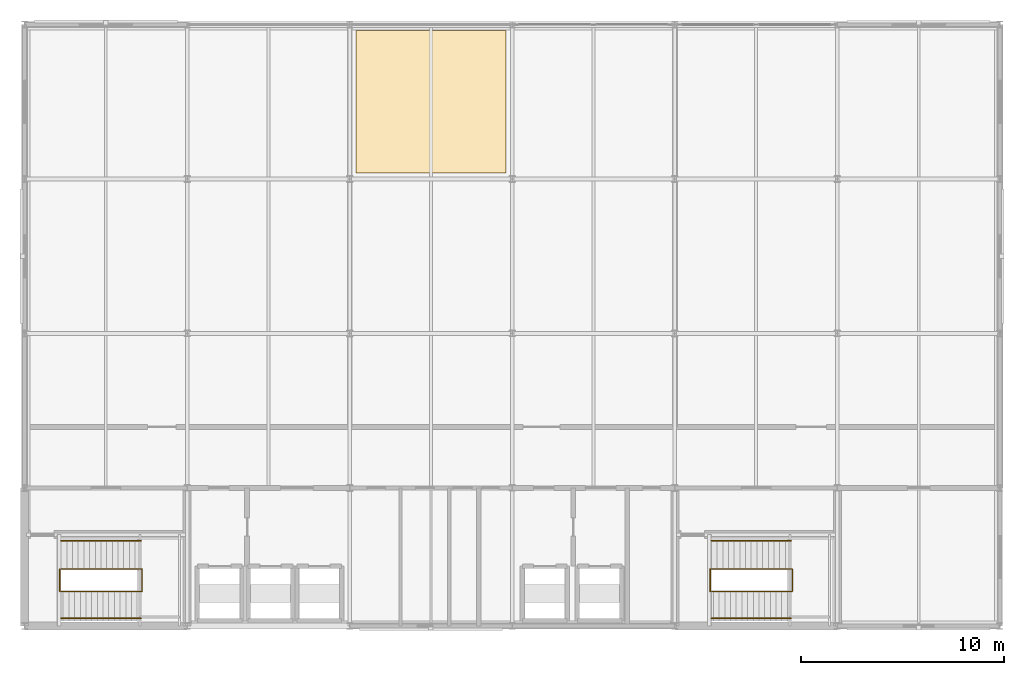
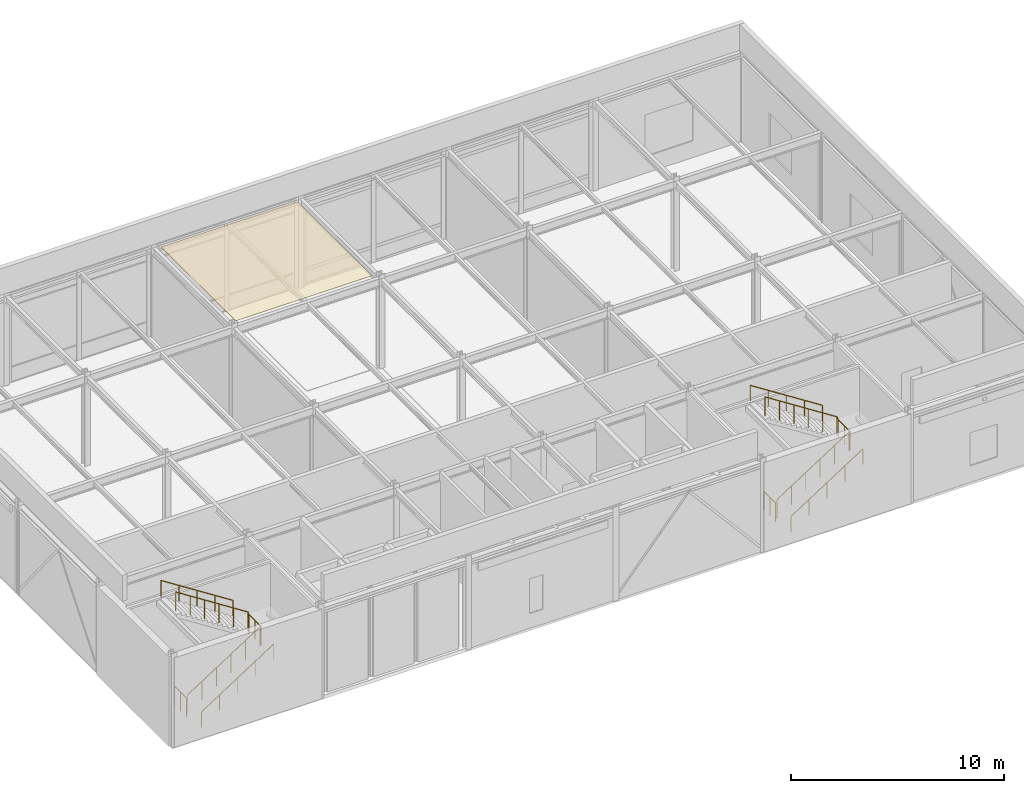
# One storey, part 12 of 12: 8 railings, 1 covering.
"""IFC4 building model written with IfcOpenShell, lengths in metres."""

from ifc_helpers import new_model, si_unit, direction, frame, origin, origin_2d, place, context, subcontext, project, spatial, polyline, circle, outline, extrude, material, layer, layer_set, type_object, element, save


model = new_model("IFC4")

# Units and contexts
model_context = context("Model", 3, precision=1e-05, world=origin(), true_north=direction((0.0, 1.0)))
body_context = subcontext(model_context, "Body", "Model", "MODEL_VIEW")
ifc_project = project(units=[si_unit("LENGTHUNIT", "METRE"), si_unit("AREAUNIT", "SQUARE_METRE"), si_unit("VOLUMEUNIT", "CUBIC_METRE"), si_unit("PLANEANGLEUNIT", "RADIAN"), si_unit("MASSUNIT", "GRAM", prefix="KILO")], contexts=[model_context])

# Site, building, storey
site_placement = place(None, origin())
site = spatial("IfcSite", under=ifc_project, at=site_placement, CompositionType="ELEMENT")
building_placement = place(site_placement, origin())
building = spatial("IfcBuilding", under=site, at=building_placement, Name="Shalkamar Park Central Library", CompositionType="ELEMENT")
storey_placement = place(building_placement, frame((0.0, 0.0, 72.300048828125)))
storey = spatial("IfcBuildingStorey", under=building, at=storey_placement, Name="L18", CompositionType="ELEMENT", Elevation=72.300048828125)

# Covering
ifc_material_1 = material(Name="Acoustic mineral fibre ceiling panel", Category="other")
ifc_layer = layer(ifc_material_1, 0.02490234375)
ifc_layer_set = layer_set([ifc_layer], Name="AcousticMineralCeilingTile")
covering_type = type_object("IfcCoveringType", Name="Acoustic Mineral Ceiling Tile", PredefinedType="CEILING", material=ifc_layer_set)
covering_placement = place(storey_placement, frame((0.0, 0.0, 5.125)))
element("IfcCovering", 1, at=covering_placement, inside=storey, type_object=covering_type, Name="Acoustic Reading Ceiling Panel L18", PredefinedType="CEILING", context=body_context, shape_type="SweptSolid", body=[
    extrude(outline(polyline([(181.300048828125, 270.699951171875), (188.699951171875, 270.699951171875), (188.699951171875, 277.699951171875), (181.300048828125, 277.699951171875), (181.300048828125, 270.699951171875)])), origin(), (0.0, 0.0, 1.0), 0.02490234375),
])

# Railings
ifc_material_2 = material(Name="Steel S355", Category="steel")
railing_type_1 = type_object("IfcRailingType", Name="Stair Guardrail 1100", PredefinedType="GUARDRAIL", material=ifc_material_2)
railing_1_placement = place(storey_placement, frame((166.800048828125, 250.090087890625, 0.179931640625)))
element("IfcRailing", 2, at=railing_1_placement, inside=storey, type_object=railing_type_1, Name="Stair Inner Well Guardrail ST-T1-L18", PredefinedType="GUARDRAIL", context=body_context, shape_type="SweptSolid", body=[
    extrude(circle(Radius=0.02392578125, at=origin_2d()), frame((0.0, 0.0, 1.076171875), z_axis=(0.841171666519, 0.0, 0.540768182723), x_axis=(0.0, 1.0, 0.0)), (0.0, 0.0, 1.0), 4.66015625),
    extrude(circle(Radius=0.02392578125, at=origin_2d()), frame((3.919921875, 0.0, 3.59619140625), z_axis=(1.0, 0.0, 0.0), x_axis=(0.0, 1.0, 0.0)), (0.0, 0.0, 1.0), 0.06005859375),
    extrude(circle(Radius=0.02392578125, at=origin_2d()), frame((3.97998046875, 0.0, 3.59619140625), z_axis=(0.0, 1.0, 0.0), x_axis=(-1.0, 0.0, 0.0)), (0.0, 0.0, 1.0), 1.119873046875),
    extrude(circle(Radius=0.02392578125, at=origin_2d()), frame((3.97998046875, 1.119873046875, 3.59619140625), z_axis=(-0.316613854282, 0.0, 0.948554514657), x_axis=(0.0, -1.0, 0.0)), (0.0, 0.0, 1.0), 0.189697265625),
    extrude(circle(Radius=0.02392578125, at=origin_2d()), frame((3.919921875, 1.119873046875, 3.77587890625), z_axis=(-0.841171666519, 0.0, 0.540768182723), x_axis=(0.0, -1.0, 0.0)), (0.0, 0.0, 1.0), 4.66015625),
    extrude(circle(Radius=0.02099609375, at=origin_2d()), origin(), (0.0, 0.0, 1.0), 1.052001953125),
    extrude(circle(Radius=0.02099609375, at=origin_2d()), frame((0.783935546875, 0.0, 0.50390625)), (0.0, 0.0, 1.0), 1.052001953125),
    extrude(circle(Radius=0.02099609375, at=origin_2d()), frame((1.56787109375, 0.0, 1.008056640625)), (0.0, 0.0, 1.0), 1.052001953125),
    extrude(circle(Radius=0.02099609375, at=origin_2d()), frame((2.35205078125, 0.0, 1.511962890625)), (0.0, 0.0, 1.0), 1.052001953125),
    extrude(circle(Radius=0.02099609375, at=origin_2d()), frame((3.135986328125, 0.0, 2.01611328125)), (0.0, 0.0, 1.0), 1.052001953125),
    extrude(circle(Radius=0.02099609375, at=origin_2d()), frame((3.919921875, 0.0, 2.52001953125)), (0.0, 0.0, 1.0), 1.052001953125),
    extrude(circle(Radius=0.02099609375, at=origin_2d()), frame((3.97998046875, 0.0, 2.52001953125)), (0.0, 0.0, 1.0), 1.052001953125),
    extrude(circle(Radius=0.02099609375, at=origin_2d()), frame((3.97998046875, 0.56005859375, 2.52001953125)), (0.0, 0.0, 1.0), 1.052001953125),
    extrude(circle(Radius=0.02099609375, at=origin_2d()), frame((3.97998046875, 1.119873046875, 2.52001953125)), (0.0, 0.0, 1.0), 1.052001953125),
    extrude(circle(Radius=0.02099609375, at=origin_2d()), frame((3.919921875, 1.119873046875, 2.699951171875)), (0.0, 0.0, 1.0), 1.052001953125),
    extrude(circle(Radius=0.02099609375, at=origin_2d()), frame((3.135986328125, 1.119873046875, 3.203857421875)), (0.0, 0.0, 1.0), 1.052001953125),
    extrude(circle(Radius=0.02099609375, at=origin_2d()), frame((2.35205078125, 1.119873046875, 3.7080078125)), (0.0, 0.0, 1.0), 1.052001953125),
    extrude(circle(Radius=0.02099609375, at=origin_2d()), frame((1.56787109375, 1.119873046875, 4.2119140625)), (0.0, 0.0, 1.0), 1.052001953125),
    extrude(circle(Radius=0.02099609375, at=origin_2d()), frame((0.783935546875, 1.119873046875, 4.716064453125)), (0.0, 0.0, 1.0), 1.052001953125),
    extrude(circle(Radius=0.02099609375, at=origin_2d()), frame((0.0, 1.119873046875, 5.219970703125)), (0.0, 0.0, 1.0), 1.052001953125),
])
railing_2_placement = place(storey_placement, frame((166.739990234375, 250.10009765625, 0.0)))
element("IfcRailing", 3, at=railing_2_placement, inside=storey, type_object=railing_type_1, Name="Stair Arrival Well Guardrail ST-T1 (L18)", PredefinedType="GUARDRAIL", context=body_context, shape_type="SweptSolid", body=[
    extrude(circle(Radius=0.02392578125, at=origin_2d()), frame((0.0, 0.0, 1.076171875), z_axis=(0.0, 1.0, 0.0), x_axis=(-1.0, 0.0, 0.0)), (0.0, 0.0, 1.0), 1.099853515625),
    extrude(circle(Radius=0.02099609375, at=origin_2d()), origin(), (0.0, 0.0, 1.0), 1.052001953125),
    extrude(circle(Radius=0.02099609375, at=origin_2d()), frame((0.0, 0.5498046875, 0.0)), (0.0, 0.0, 1.0), 1.052001953125),
    extrude(circle(Radius=0.02099609375, at=origin_2d()), frame((0.0, 1.099853515625, 0.0)), (0.0, 0.0, 1.0), 1.052001953125),
])
railing_3_placement = place(storey_placement, frame((198.800048828125, 250.090087890625, 0.179931640625)))
element("IfcRailing", 4, at=railing_3_placement, inside=storey, type_object=railing_type_1, Name="Stair Inner Well Guardrail ST-T2-L18", PredefinedType="GUARDRAIL", context=body_context, shape_type="SweptSolid", body=[
    extrude(circle(Radius=0.02392578125, at=origin_2d()), frame((0.0, 0.0, 1.076171875), z_axis=(0.841171666519, 0.0, 0.540768182723), x_axis=(0.0, 1.0, 0.0)), (0.0, 0.0, 1.0), 4.66015625),
    extrude(circle(Radius=0.02392578125, at=origin_2d()), frame((3.919921875, 0.0, 3.59619140625), z_axis=(1.0, 0.0, 0.0), x_axis=(0.0, 1.0, 0.0)), (0.0, 0.0, 1.0), 0.06005859375),
    extrude(circle(Radius=0.02392578125, at=origin_2d()), frame((3.97998046875, 0.0, 3.59619140625), z_axis=(0.0, 1.0, 0.0), x_axis=(-1.0, 0.0, 0.0)), (0.0, 0.0, 1.0), 1.119873046875),
    extrude(circle(Radius=0.02392578125, at=origin_2d()), frame((3.97998046875, 1.119873046875, 3.59619140625), z_axis=(-0.316613854282, 0.0, 0.948554514657), x_axis=(0.0, -1.0, 0.0)), (0.0, 0.0, 1.0), 0.189697265625),
    extrude(circle(Radius=0.02392578125, at=origin_2d()), frame((3.919921875, 1.119873046875, 3.77587890625), z_axis=(-0.841171666519, 0.0, 0.540768182723), x_axis=(0.0, -1.0, 0.0)), (0.0, 0.0, 1.0), 4.66015625),
    extrude(circle(Radius=0.02099609375, at=origin_2d()), origin(), (0.0, 0.0, 1.0), 1.052001953125),
    extrude(circle(Radius=0.02099609375, at=origin_2d()), frame((0.783935546875, 0.0, 0.50390625)), (0.0, 0.0, 1.0), 1.052001953125),
    extrude(circle(Radius=0.02099609375, at=origin_2d()), frame((1.56787109375, 0.0, 1.008056640625)), (0.0, 0.0, 1.0), 1.052001953125),
    extrude(circle(Radius=0.02099609375, at=origin_2d()), frame((2.35205078125, 0.0, 1.511962890625)), (0.0, 0.0, 1.0), 1.052001953125),
    extrude(circle(Radius=0.02099609375, at=origin_2d()), frame((3.135986328125, 0.0, 2.01611328125)), (0.0, 0.0, 1.0), 1.052001953125),
    extrude(circle(Radius=0.02099609375, at=origin_2d()), frame((3.919921875, 0.0, 2.52001953125)), (0.0, 0.0, 1.0), 1.052001953125),
    extrude(circle(Radius=0.02099609375, at=origin_2d()), frame((3.97998046875, 0.0, 2.52001953125)), (0.0, 0.0, 1.0), 1.052001953125),
    extrude(circle(Radius=0.02099609375, at=origin_2d()), frame((3.97998046875, 0.56005859375, 2.52001953125)), (0.0, 0.0, 1.0), 1.052001953125),
    extrude(circle(Radius=0.02099609375, at=origin_2d()), frame((3.97998046875, 1.119873046875, 2.52001953125)), (0.0, 0.0, 1.0), 1.052001953125),
    extrude(circle(Radius=0.02099609375, at=origin_2d()), frame((3.919921875, 1.119873046875, 2.699951171875)), (0.0, 0.0, 1.0), 1.052001953125),
    extrude(circle(Radius=0.02099609375, at=origin_2d()), frame((3.135986328125, 1.119873046875, 3.203857421875)), (0.0, 0.0, 1.0), 1.052001953125),
    extrude(circle(Radius=0.02099609375, at=origin_2d()), frame((2.35205078125, 1.119873046875, 3.7080078125)), (0.0, 0.0, 1.0), 1.052001953125),
    extrude(circle(Radius=0.02099609375, at=origin_2d()), frame((1.56787109375, 1.119873046875, 4.2119140625)), (0.0, 0.0, 1.0), 1.052001953125),
    extrude(circle(Radius=0.02099609375, at=origin_2d()), frame((0.783935546875, 1.119873046875, 4.716064453125)), (0.0, 0.0, 1.0), 1.052001953125),
    extrude(circle(Radius=0.02099609375, at=origin_2d()), frame((0.0, 1.119873046875, 5.219970703125)), (0.0, 0.0, 1.0), 1.052001953125),
])
railing_4_placement = place(storey_placement, frame((198.739990234375, 250.10009765625, 0.0)))
element("IfcRailing", 5, at=railing_4_placement, inside=storey, type_object=railing_type_1, Name="Stair Arrival Well Guardrail ST-T2 (L18)", PredefinedType="GUARDRAIL", context=body_context, shape_type="SweptSolid", body=[
    extrude(circle(Radius=0.02392578125, at=origin_2d()), frame((0.0, 0.0, 1.076171875), z_axis=(0.0, 1.0, 0.0), x_axis=(-1.0, 0.0, 0.0)), (0.0, 0.0, 1.0), 1.099853515625),
    extrude(circle(Radius=0.02099609375, at=origin_2d()), origin(), (0.0, 0.0, 1.0), 1.052001953125),
    extrude(circle(Radius=0.02099609375, at=origin_2d()), frame((0.0, 0.5498046875, 0.0)), (0.0, 0.0, 1.0), 1.052001953125),
    extrude(circle(Radius=0.02099609375, at=origin_2d()), frame((0.0, 1.099853515625, 0.0)), (0.0, 0.0, 1.0), 1.052001953125),
])
railing_type_2 = type_object("IfcRailingType", Name="Stair Pitched Handrail 920", PredefinedType="HANDRAIL", material=ifc_material_2)
railing_5_placement = place(storey_placement, frame((166.800048828125, 248.780029296875, 0.179931640625)))
element("IfcRailing", 6, at=railing_5_placement, inside=storey, type_object=railing_type_2, Name="Stair Wall Handrail ST-T1-L18 Flight 1", PredefinedType="HANDRAIL", context=body_context, shape_type="SweptSolid", body=[
    extrude(circle(Radius=0.02392578125, at=origin_2d()), frame((0.0, 0.0, 0.89599609375), z_axis=(0.841171666519, 0.0, 0.540768182723), x_axis=(0.0, 1.0, 0.0)), (0.0, 0.0, 1.0), 4.66015625),
    extrude(circle(Radius=0.02099609375, at=origin_2d()), origin(), (0.0, 0.0, 1.0), 0.871826171875),
    extrude(circle(Radius=0.02099609375, at=origin_2d()), frame((0.97998046875, 0.0, 0.6298828125)), (0.0, 0.0, 1.0), 0.871826171875),
    extrude(circle(Radius=0.02099609375, at=origin_2d()), frame((1.9599609375, 0.0, 1.260009765625)), (0.0, 0.0, 1.0), 0.871826171875),
    extrude(circle(Radius=0.02099609375, at=origin_2d()), frame((2.93994140625, 0.0, 1.89013671875)), (0.0, 0.0, 1.0), 0.871826171875),
    extrude(circle(Radius=0.02099609375, at=origin_2d()), frame((3.919921875, 0.0, 2.52001953125)), (0.0, 0.0, 1.0), 0.871826171875),
])
railing_6_placement = place(storey_placement, frame((170.719970703125, 252.60009765625, 2.8798828125)))
element("IfcRailing", 7, at=railing_6_placement, inside=storey, type_object=railing_type_2, Name="Stair Wall Handrail ST-T1-L18 Flight 2", PredefinedType="HANDRAIL", context=body_context, shape_type="SweptSolid", body=[
    extrude(circle(Radius=0.02392578125, at=origin_2d()), frame((0.0, 0.0, 0.89599609375), z_axis=(-0.841171666519, 0.0, 0.540768182723), x_axis=(0.0, -1.0, 0.0)), (0.0, 0.0, 1.0), 4.66015625),
    extrude(circle(Radius=0.02099609375, at=origin_2d()), origin(), (0.0, 0.0, 1.0), 0.871826171875),
    extrude(circle(Radius=0.02099609375, at=origin_2d()), frame((-0.97998046875, 0.0, 0.6298828125)), (0.0, 0.0, 1.0), 0.871826171875),
    extrude(circle(Radius=0.02099609375, at=origin_2d()), frame((-1.9599609375, 0.0, 1.260009765625)), (0.0, 0.0, 1.0), 0.871826171875),
    extrude(circle(Radius=0.02099609375, at=origin_2d()), frame((-2.93994140625, 0.0, 1.89013671875)), (0.0, 0.0, 1.0), 0.871826171875),
    extrude(circle(Radius=0.02099609375, at=origin_2d()), frame((-3.919921875, 0.0, 2.52001953125)), (0.0, 0.0, 1.0), 0.871826171875),
])
railing_7_placement = place(storey_placement, frame((198.800048828125, 248.780029296875, 0.179931640625)))
element("IfcRailing", 8, at=railing_7_placement, inside=storey, type_object=railing_type_2, Name="Stair Wall Handrail ST-T2-L18 Flight 1", PredefinedType="HANDRAIL", context=body_context, shape_type="SweptSolid", body=[
    extrude(circle(Radius=0.02392578125, at=origin_2d()), frame((0.0, 0.0, 0.89599609375), z_axis=(0.841171666519, 0.0, 0.540768182723), x_axis=(0.0, 1.0, 0.0)), (0.0, 0.0, 1.0), 4.66015625),
    extrude(circle(Radius=0.02099609375, at=origin_2d()), origin(), (0.0, 0.0, 1.0), 0.871826171875),
    extrude(circle(Radius=0.02099609375, at=origin_2d()), frame((0.97998046875, 0.0, 0.6298828125)), (0.0, 0.0, 1.0), 0.871826171875),
    extrude(circle(Radius=0.02099609375, at=origin_2d()), frame((1.9599609375, 0.0, 1.260009765625)), (0.0, 0.0, 1.0), 0.871826171875),
    extrude(circle(Radius=0.02099609375, at=origin_2d()), frame((2.93994140625, 0.0, 1.89013671875)), (0.0, 0.0, 1.0), 0.871826171875),
    extrude(circle(Radius=0.02099609375, at=origin_2d()), frame((3.919921875, 0.0, 2.52001953125)), (0.0, 0.0, 1.0), 0.871826171875),
])
railing_8_placement = place(storey_placement, frame((202.719970703125, 252.60009765625, 2.8798828125)))
element("IfcRailing", 9, at=railing_8_placement, inside=storey, type_object=railing_type_2, Name="Stair Wall Handrail ST-T2-L18 Flight 2", PredefinedType="HANDRAIL", context=body_context, shape_type="SweptSolid", body=[
    extrude(circle(Radius=0.02392578125, at=origin_2d()), frame((0.0, 0.0, 0.89599609375), z_axis=(-0.841171666519, 0.0, 0.540768182723), x_axis=(0.0, -1.0, 0.0)), (0.0, 0.0, 1.0), 4.66015625),
    extrude(circle(Radius=0.02099609375, at=origin_2d()), origin(), (0.0, 0.0, 1.0), 0.871826171875),
    extrude(circle(Radius=0.02099609375, at=origin_2d()), frame((-0.97998046875, 0.0, 0.6298828125)), (0.0, 0.0, 1.0), 0.871826171875),
    extrude(circle(Radius=0.02099609375, at=origin_2d()), frame((-1.9599609375, 0.0, 1.260009765625)), (0.0, 0.0, 1.0), 0.871826171875),
    extrude(circle(Radius=0.02099609375, at=origin_2d()), frame((-2.93994140625, 0.0, 1.89013671875)), (0.0, 0.0, 1.0), 0.871826171875),
    extrude(circle(Radius=0.02099609375, at=origin_2d()), frame((-3.919921875, 0.0, 2.52001953125)), (0.0, 0.0, 1.0), 0.871826171875),
])

save(model, "model.ifc")
